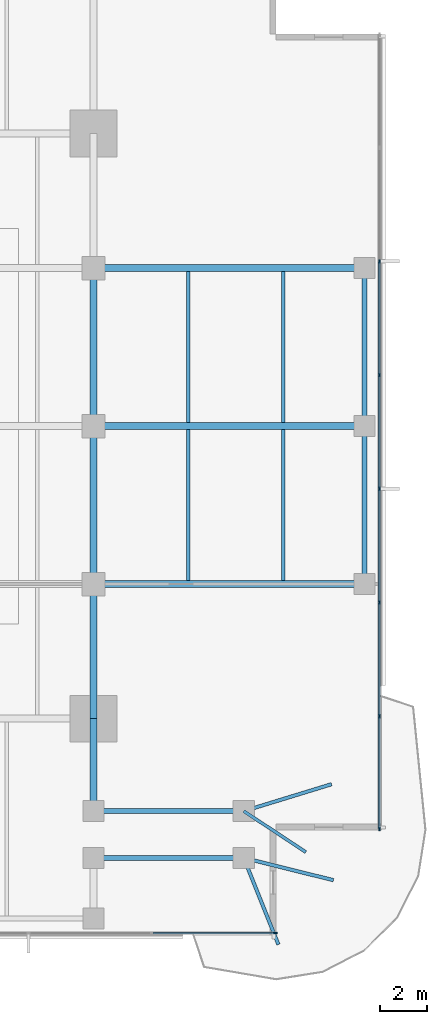
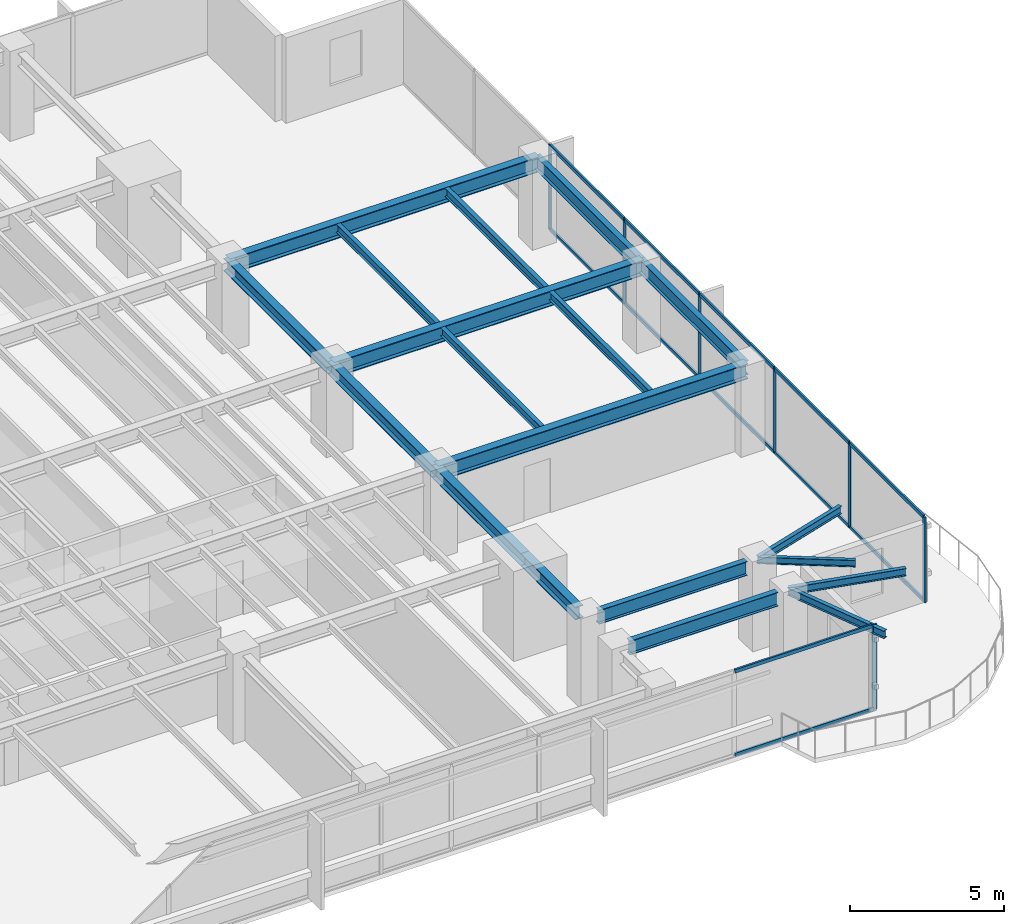
# One storey, part 4 of 14: 19 beams, 19 members, 2 elements without a shape of their own.
"""IFC4 building model written with IfcOpenShell, lengths in metres."""

from ifc_helpers import new_model, si_unit, direction, frame, origin, origin_2d, place, context, subcontext, project, spatial, rectangle, i_section, extrude, material, layer, layer_set, material_profile, profile_set, type_object, element, aggregate, save


model = new_model("IFC4")

# Units and contexts
model_context = context("Model", 3, precision=1e-05, world=origin(), true_north=direction((0.0, 1.0)))
body_context = subcontext(model_context, "Body", "Model", "MODEL_VIEW")
ifc_project = project(units=[si_unit("LENGTHUNIT", "METRE"), si_unit("AREAUNIT", "SQUARE_METRE"), si_unit("VOLUMEUNIT", "CUBIC_METRE"), si_unit("PLANEANGLEUNIT", "RADIAN"), si_unit("MASSUNIT", "GRAM", prefix="KILO")], contexts=[model_context])

# Site, building, storey
site_placement = place(None, origin())
site = spatial("IfcSite", under=ifc_project, at=site_placement, CompositionType="ELEMENT")
building_placement = place(site_placement, origin())
building = spatial("IfcBuilding", under=site, at=building_placement, Name="Kinhvarn Gate Tower", CompositionType="ELEMENT")
storey_placement = place(building_placement, frame((0.0, 0.0, 141.300048828125)))
storey = spatial("IfcBuildingStorey", under=building, at=storey_placement, Name="L37", CompositionType="ELEMENT", Elevation=141.300048828125)

# Curtain wall, member
ifc_material_1 = material(Name="Anodised aluminium AW-6063", Category="aluminium")
ifc_layer = layer(ifc_material_1, 0.179931640625)
ifc_layer_set = layer_set([ifc_layer], Name="Anodised aluminium AW-6063")
curtain_wall_type = type_object("IfcCurtainWallType", Name="CW-SYS-3", PredefinedType="NOTDEFINED", material=ifc_layer_set)
curtain_wall_1_placement = place(storey_placement, origin())
curtain_wall_1 = element("IfcCurtainWall", 1, at=curtain_wall_1_placement, inside=storey, type_object=curtain_wall_type, Name="Curtain Wall CW3 (L37)", PredefinedType="NOTDEFINED")
ifc_material_profile_1 = material_profile(ifc_material_1, rectangle(XDim=0.06494140625, YDim=0.159912109375, at=origin_2d()), Name="ALU 65x160")
ifc_profile_set_1 = profile_set([ifc_material_profile_1], Name="Anodised aluminium AW-6063")
member_type_1 = type_object("IfcMemberType", Name="CW-MUL-160", PredefinedType="MULLION", material=ifc_profile_set_1)
member_1_placement = place(storey_placement, frame((45.967529296875, 3.590087890625, 0.0), z_axis=(0.0, 0.0, 1.0), x_axis=(0.0, 1.0, 0.0)))
member_1 = element("IfcMember", 2, at=member_1_placement, type_object=member_type_1, Name="CW3 mullion 8", PredefinedType="MULLION", context=body_context, shape_type="SweptSolid", body=[
    extrude(rectangle(XDim=0.06494140625, YDim=0.159912109375, at=origin_2d()), origin(), (0.0, 0.0, 1.0), 3.369873046875),
])

# Curtain wall, members
curtain_wall_2_placement = place(storey_placement, origin())
curtain_wall_2 = element("IfcCurtainWall", 3, at=curtain_wall_2_placement, inside=storey, type_object=curtain_wall_type, Name="Curtain Wall CW3 (L37)", PredefinedType="NOTDEFINED")
member_2_placement = place(storey_placement, frame((50.409912109375, 8.032470703125, 0.0), z_axis=(0.0, 0.0, 1.0), x_axis=(-1.0, 0.0, 0.0)))
member_2 = element("IfcMember", 4, at=member_2_placement, type_object=member_type_1, Name="CW3 mullion 1", PredefinedType="MULLION", context=body_context, shape_type="SweptSolid", body=[
    extrude(rectangle(XDim=0.06494140625, YDim=0.159912109375, at=origin_2d()), origin(), (0.0, 0.0, 1.0), 3.369873046875),
])
member_3_placement = place(storey_placement, frame((50.409912109375, 12.857177734375, 0.0), z_axis=(0.0, 0.0, 1.0), x_axis=(-1.0, 0.0, 0.0)))
member_3 = element("IfcMember", 5, at=member_3_placement, type_object=member_type_1, Name="CW3 mullion 2", PredefinedType="MULLION", context=body_context, shape_type="SweptSolid", body=[
    extrude(rectangle(XDim=0.06494140625, YDim=0.159912109375, at=origin_2d()), origin(), (0.0, 0.0, 1.0), 3.369873046875),
])
member_4_placement = place(storey_placement, frame((50.409912109375, 17.71435546875, 0.0), z_axis=(0.0, 0.0, 1.0), x_axis=(-1.0, 0.0, 0.0)))
member_4 = element("IfcMember", 6, at=member_4_placement, type_object=member_type_1, Name="CW3 mullion 3", PredefinedType="MULLION", context=body_context, shape_type="SweptSolid", body=[
    extrude(rectangle(XDim=0.06494140625, YDim=0.159912109375, at=origin_2d()), origin(), (0.0, 0.0, 1.0), 3.369873046875),
])
member_5_placement = place(storey_placement, frame((50.409912109375, 22.571533203125, 0.0), z_axis=(0.0, 0.0, 1.0), x_axis=(-1.0, 0.0, 0.0)))
member_5 = element("IfcMember", 7, at=member_5_placement, type_object=member_type_1, Name="CW3 mullion 4", PredefinedType="MULLION", context=body_context, shape_type="SweptSolid", body=[
    extrude(rectangle(XDim=0.06494140625, YDim=0.159912109375, at=origin_2d()), origin(), (0.0, 0.0, 1.0), 3.369873046875),
])
member_6_placement = place(storey_placement, frame((50.409912109375, 27.428466796875, 0.0), z_axis=(0.0, 0.0, 1.0), x_axis=(-1.0, 0.0, 0.0)))
member_6 = element("IfcMember", 8, at=member_6_placement, type_object=member_type_1, Name="CW3 mullion 5", PredefinedType="MULLION", context=body_context, shape_type="SweptSolid", body=[
    extrude(rectangle(XDim=0.06494140625, YDim=0.159912109375, at=origin_2d()), origin(), (0.0, 0.0, 1.0), 3.369873046875),
])
member_7_placement = place(storey_placement, frame((50.409912109375, 32.28564453125, 0.0), z_axis=(0.0, 0.0, 1.0), x_axis=(-1.0, 0.0, 0.0)))
member_7 = element("IfcMember", 9, at=member_7_placement, type_object=member_type_1, Name="CW3 mullion 6", PredefinedType="MULLION", context=body_context, shape_type="SweptSolid", body=[
    extrude(rectangle(XDim=0.06494140625, YDim=0.159912109375, at=origin_2d()), origin(), (0.0, 0.0, 1.0), 3.369873046875),
])

# Member
ifc_material_profile_2 = material_profile(ifc_material_1, rectangle(XDim=0.070068359375, YDim=0.139892578125, at=origin_2d()), Name="ALU 70x140")
ifc_profile_set_2 = profile_set([ifc_material_profile_2], Name="Anodised aluminium AW-6063")
member_type_2 = type_object("IfcMemberType", Name="CW-TRN-140", PredefinedType="USERDEFINED", material=ifc_profile_set_2)
member_8_placement = place(storey_placement, frame((40.746826171875, 3.590087890625, 0.034912109375), z_axis=(1.0, 0.0, 0.0), x_axis=(0.0, 1.0, 0.0)))
member_8 = element("IfcMember", 10, at=member_8_placement, type_object=member_type_2, Name="CW3 transom 7.1", ObjectType="TRANSOM", PredefinedType="USERDEFINED", context=body_context, shape_type="SweptSolid", body=[
    extrude(rectangle(XDim=0.070068359375, YDim=0.139892578125, at=origin_2d()), origin(), (0.0, 0.0, 1.0), 5.188232421875),
])

member_9_placement = place(storey_placement, frame((40.746826171875, 3.590087890625, 3.3349609375), z_axis=(1.0, 0.0, 0.0), x_axis=(0.0, 1.0, 0.0)))
member_9 = element("IfcMember", 11, at=member_9_placement, type_object=member_type_2, Name="CW3 transom 7.2", ObjectType="TRANSOM", PredefinedType="USERDEFINED", context=body_context, shape_type="SweptSolid", body=[
    extrude(rectangle(XDim=0.070068359375, YDim=0.139892578125, at=origin_2d()), origin(), (0.0, 0.0, 1.0), 5.188232421875),
])

aggregate(curtain_wall_1, [member_1, member_8, member_9])

member_10_placement = place(storey_placement, frame((50.409912109375, 8.06494140625, 0.034912109375), z_axis=(0.0, 1.0, 0.0), x_axis=(-1.0, 0.0, 0.0)))
member_10 = element("IfcMember", 12, at=member_10_placement, type_object=member_type_2, Name="CW3 transom 1.1", ObjectType="TRANSOM", PredefinedType="USERDEFINED", context=body_context, shape_type="SweptSolid", body=[
    extrude(rectangle(XDim=0.070068359375, YDim=0.139892578125, at=origin_2d()), origin(), (0.0, 0.0, 1.0), 4.759765625),
])

member_11_placement = place(storey_placement, frame((50.409912109375, 8.06494140625, 3.3349609375), z_axis=(0.0, 1.0, 0.0), x_axis=(-1.0, 0.0, 0.0)))
member_11 = element("IfcMember", 13, at=member_11_placement, type_object=member_type_2, Name="CW3 transom 1.2", ObjectType="TRANSOM", PredefinedType="USERDEFINED", context=body_context, shape_type="SweptSolid", body=[
    extrude(rectangle(XDim=0.070068359375, YDim=0.139892578125, at=origin_2d()), origin(), (0.0, 0.0, 1.0), 4.759765625),
])

member_12_placement = place(storey_placement, frame((50.409912109375, 12.8896484375, 0.034912109375), z_axis=(0.0, 1.0, 0.0), x_axis=(-1.0, 0.0, 0.0)))
member_12 = element("IfcMember", 14, at=member_12_placement, type_object=member_type_2, Name="CW3 transom 2.1", ObjectType="TRANSOM", PredefinedType="USERDEFINED", context=body_context, shape_type="SweptSolid", body=[
    extrude(rectangle(XDim=0.070068359375, YDim=0.139892578125, at=origin_2d()), origin(), (0.0, 0.0, 1.0), 4.792236328125),
])

member_13_placement = place(storey_placement, frame((50.409912109375, 12.8896484375, 3.3349609375), z_axis=(0.0, 1.0, 0.0), x_axis=(-1.0, 0.0, 0.0)))
member_13 = element("IfcMember", 15, at=member_13_placement, type_object=member_type_2, Name="CW3 transom 2.2", ObjectType="TRANSOM", PredefinedType="USERDEFINED", context=body_context, shape_type="SweptSolid", body=[
    extrude(rectangle(XDim=0.070068359375, YDim=0.139892578125, at=origin_2d()), origin(), (0.0, 0.0, 1.0), 4.792236328125),
])

member_14_placement = place(storey_placement, frame((50.409912109375, 17.746826171875, 0.034912109375), z_axis=(0.0, 1.0, 0.0), x_axis=(-1.0, 0.0, 0.0)))
member_14 = element("IfcMember", 16, at=member_14_placement, type_object=member_type_2, Name="CW3 transom 3.1", ObjectType="TRANSOM", PredefinedType="USERDEFINED", context=body_context, shape_type="SweptSolid", body=[
    extrude(rectangle(XDim=0.070068359375, YDim=0.139892578125, at=origin_2d()), origin(), (0.0, 0.0, 1.0), 4.7919921875),
])

member_15_placement = place(storey_placement, frame((50.409912109375, 17.746826171875, 3.3349609375), z_axis=(0.0, 1.0, 0.0), x_axis=(-1.0, 0.0, 0.0)))
member_15 = element("IfcMember", 17, at=member_15_placement, type_object=member_type_2, Name="CW3 transom 3.2", ObjectType="TRANSOM", PredefinedType="USERDEFINED", context=body_context, shape_type="SweptSolid", body=[
    extrude(rectangle(XDim=0.070068359375, YDim=0.139892578125, at=origin_2d()), origin(), (0.0, 0.0, 1.0), 4.7919921875),
])

member_16_placement = place(storey_placement, frame((50.409912109375, 22.60400390625, 0.034912109375), z_axis=(0.0, 1.0, 0.0), x_axis=(-1.0, 0.0, 0.0)))
member_16 = element("IfcMember", 18, at=member_16_placement, type_object=member_type_2, Name="CW3 transom 4.1", ObjectType="TRANSOM", PredefinedType="USERDEFINED", context=body_context, shape_type="SweptSolid", body=[
    extrude(rectangle(XDim=0.070068359375, YDim=0.139892578125, at=origin_2d()), origin(), (0.0, 0.0, 1.0), 4.7919921875),
])

member_17_placement = place(storey_placement, frame((50.409912109375, 22.60400390625, 3.3349609375), z_axis=(0.0, 1.0, 0.0), x_axis=(-1.0, 0.0, 0.0)))
member_17 = element("IfcMember", 19, at=member_17_placement, type_object=member_type_2, Name="CW3 transom 4.2", ObjectType="TRANSOM", PredefinedType="USERDEFINED", context=body_context, shape_type="SweptSolid", body=[
    extrude(rectangle(XDim=0.070068359375, YDim=0.139892578125, at=origin_2d()), origin(), (0.0, 0.0, 1.0), 4.7919921875),
])

member_18_placement = place(storey_placement, frame((50.409912109375, 27.461181640625, 0.034912109375), z_axis=(0.0, 1.0, 0.0), x_axis=(-1.0, 0.0, 0.0)))
member_18 = element("IfcMember", 20, at=member_18_placement, type_object=member_type_2, Name="CW3 transom 5.1", ObjectType="TRANSOM", PredefinedType="USERDEFINED", context=body_context, shape_type="SweptSolid", body=[
    extrude(rectangle(XDim=0.070068359375, YDim=0.139892578125, at=origin_2d()), origin(), (0.0, 0.0, 1.0), 4.7919921875),
])

member_19_placement = place(storey_placement, frame((50.409912109375, 27.461181640625, 3.3349609375), z_axis=(0.0, 1.0, 0.0), x_axis=(-1.0, 0.0, 0.0)))
member_19 = element("IfcMember", 21, at=member_19_placement, type_object=member_type_2, Name="CW3 transom 5.2", ObjectType="TRANSOM", PredefinedType="USERDEFINED", context=body_context, shape_type="SweptSolid", body=[
    extrude(rectangle(XDim=0.070068359375, YDim=0.139892578125, at=origin_2d()), origin(), (0.0, 0.0, 1.0), 4.7919921875),
])

aggregate(curtain_wall_2, [member_2, member_3, member_4, member_5, member_6, member_7, member_10, member_11, member_12, member_13, member_14, member_15, member_16, member_17, member_18, member_19])

# Beams
ifc_material_2 = material(Name="Steel S355", Category="steel")
ifc_material_profile_3 = material_profile(ifc_material_2, i_section(OverallWidth=0.300048828125, OverallDepth=0.5, WebThickness=0.014404296875, FlangeThickness=0.028076171875, at=origin_2d()), Name="HEB 500")
ifc_profile_set_3 = profile_set([ifc_material_profile_3], Name="Steel S355")
beam_type_1 = type_object("IfcBeamType", Name="STL-HEB500", PredefinedType="BEAM", material=ifc_profile_set_3)
beam_1_placement = place(storey_placement, frame((38.199951171875, 9.235107421875, 3.119873046875), z_axis=(0.0, 1.0, 0.0), x_axis=(-1.0, 0.0, 0.0)))
element("IfcBeam", 22, at=beam_1_placement, inside=storey, type_object=beam_type_1, Name="Floor Beam PG-14 (L37 MCE-S-A2)", PredefinedType="BEAM", context=body_context, shape_type="SweptSolid", body=[
    extrude(i_section(OverallWidth=0.300048828125, OverallDepth=0.5, WebThickness=0.014404296875, FlangeThickness=0.028076171875, at=origin_2d()), origin(), (0.0, 0.0, 1.0), 3.514892578125),
])
beam_2_placement = place(storey_placement, frame((38.199951171875, 12.75, 3.119873046875), z_axis=(0.0, 1.0, 0.0), x_axis=(-1.0, 0.0, 0.0)))
element("IfcBeam", 23, at=beam_2_placement, inside=storey, type_object=beam_type_1, Name="Floor Beam PG-14 (L37 MG-E-12)", PredefinedType="BEAM", context=body_context, shape_type="SweptSolid", body=[
    extrude(i_section(OverallWidth=0.300048828125, OverallDepth=0.5, WebThickness=0.014404296875, FlangeThickness=0.028076171875, at=origin_2d()), origin(), (0.0, 0.0, 1.0), 5.75),
])
for number, where, z_axis, x_axis, name in (
    (24, (38.199951171875, 18.5, 3.119873046875), (0.0, 1.0, 0.0), (-1.0, 0.0, 0.0), "Floor Beam PG-14 (L37 MG-E-18)"),
    (25, (38.199951171875, 25.25, 3.119873046875), (0.0, 1.0, 0.0), (-1.0, 0.0, 0.0), "Floor Beam PG-14 (L37 MG-E-25)"),
):
    element("IfcBeam", number, at=place(storey_placement, frame(where, z_axis=z_axis, x_axis=x_axis)), inside=storey, type_object=beam_type_1, Name=name, PredefinedType="BEAM", context=body_context, shape_type="SweptSolid", body=[
        extrude(i_section(OverallWidth=0.300048828125, OverallDepth=0.5, WebThickness=0.014404296875, FlangeThickness=0.028076171875, at=origin_2d()), origin(), (0.0, 0.0, 1.0), 6.75),
    ])
ifc_material_profile_4 = material_profile(ifc_material_2, i_section(OverallWidth=0.300048828125, OverallDepth=0.60009765625, WebThickness=0.015380859375, FlangeThickness=0.030029296875, at=origin_2d()), Name="HEB 600")
ifc_profile_set_4 = profile_set([ifc_material_profile_4], Name="Steel S355")
beam_type_2 = type_object("IfcBeamType", Name="STL-HEB600", PredefinedType="BEAM", material=ifc_profile_set_4)
for number, where, z_axis, x_axis, name in (
    (26, (38.199951171875, 18.5, 3.070068359375), (1.0, 0.0, 0.0), (0.0, 1.0, 0.0), "Floor Beam PG-16 (L37 EW2-Y18)"),
    (27, (38.199951171875, 25.25, 3.070068359375), (1.0, 0.0, 0.0), (0.0, 1.0, 0.0), "Floor Beam PG-16 (L37 EW2-Y25)"),
    (28, (38.199951171875, 32.0, 3.070068359375), (1.0, 0.0, 0.0), (0.0, 1.0, 0.0), "Floor Beam PG-16 (L37 EW2-Y32)"),
):
    element("IfcBeam", number, at=place(storey_placement, frame(where, z_axis=z_axis, x_axis=x_axis)), inside=storey, type_object=beam_type_2, Name=name, PredefinedType="BEAM", context=body_context, shape_type="SweptSolid", body=[
        extrude(i_section(OverallWidth=0.300048828125, OverallDepth=0.60009765625, WebThickness=0.015380859375, FlangeThickness=0.030029296875, at=origin_2d()), origin(), (0.0, 0.0, 1.0), 11.580078125),
    ])
ifc_material_profile_5 = material_profile(ifc_material_2, i_section(OverallWidth=0.135009765625, OverallDepth=0.27001953125, WebThickness=0.006591796875, FlangeThickness=0.01025390625, at=origin_2d()), Name="IPE 270")
ifc_profile_set_5 = profile_set([ifc_material_profile_5], Name="Steel S355")
beam_type_3 = type_object("IfcBeamType", Name="STL-IPE270", PredefinedType="JOIST", material=ifc_profile_set_5)
beam_3_placement = place(storey_placement, frame((44.6201171875, 8.800048828125, 3.23486328125), z_axis=(0.834455271211, -0.5510756757, 0.0), x_axis=(0.5510756757, 0.834455271211, 0.0)))
element("IfcBeam", 29, at=beam_3_placement, inside=storey, type_object=beam_type_3, Name="Floor Joist SB-01 (L37 BAL-B3-L38)", PredefinedType="JOIST", context=body_context, shape_type="SweptSolid", body=[
    extrude(i_section(OverallWidth=0.135009765625, OverallDepth=0.27001953125, WebThickness=0.006591796875, FlangeThickness=0.01025390625, at=origin_2d()), origin(), (0.0, 0.0, 1.0), 3.175537109375),
])
ifc_material_profile_6 = material_profile(ifc_material_2, i_section(OverallWidth=0.14990234375, OverallDepth=0.300048828125, WebThickness=0.007080078125, FlangeThickness=0.0107421875, at=origin_2d()), Name="IPE 300")
ifc_profile_set_6 = profile_set([ifc_material_profile_6], Name="Steel S355")
beam_type_4 = type_object("IfcBeamType", Name="STL-IPE300", PredefinedType="JOIST", material=ifc_profile_set_6)
beam_4_placement = place(storey_placement, frame((44.6201171875, 6.800048828125, 3.219970703125), z_axis=(0.97058851083, -0.240744558911, 0.0), x_axis=(0.240744558911, 0.97058851083, 0.0)))
element("IfcBeam", 30, at=beam_4_placement, inside=storey, type_object=beam_type_4, Name="Floor Joist SB-02 (L37 BAL-B1-L38)", PredefinedType="JOIST", context=body_context, shape_type="SweptSolid", body=[
    extrude(i_section(OverallWidth=0.14990234375, OverallDepth=0.300048828125, WebThickness=0.007080078125, FlangeThickness=0.0107421875, at=origin_2d()), origin(), (0.0, 0.0, 1.0), 3.94580078125),
])
beam_5_placement = place(storey_placement, frame((44.6201171875, 6.800048828125, 3.219970703125), z_axis=(0.371390676354, -0.928476690885, 0.0), x_axis=(0.928476690885, 0.371390676354, 0.0)))
element("IfcBeam", 31, at=beam_5_placement, inside=storey, type_object=beam_type_4, Name="Floor Joist SB-02 (L37 BAL-B2-L38)", PredefinedType="JOIST", context=body_context, shape_type="SweptSolid", body=[
    extrude(i_section(OverallWidth=0.14990234375, OverallDepth=0.300048828125, WebThickness=0.007080078125, FlangeThickness=0.0107421875, at=origin_2d()), origin(), (0.0, 0.0, 1.0), 3.98486328125),
])
beam_6_placement = place(storey_placement, frame((44.6201171875, 8.800048828125, 3.219970703125), z_axis=(0.95606118681, 0.293167199862, 0.0), x_axis=(-0.293167199862, 0.95606118681, 0.0)))
element("IfcBeam", 32, at=beam_6_placement, inside=storey, type_object=beam_type_4, Name="Floor Joist SB-02 (L37 BAL-B5-L38)", PredefinedType="JOIST", context=body_context, shape_type="SweptSolid", body=[
    extrude(i_section(OverallWidth=0.14990234375, OverallDepth=0.300048828125, WebThickness=0.007080078125, FlangeThickness=0.0107421875, at=origin_2d()), origin(), (0.0, 0.0, 1.0), 3.92236328125),
])
ifc_material_profile_7 = material_profile(ifc_material_2, i_section(OverallWidth=0.159912109375, OverallDepth=0.330078125, WebThickness=0.007568359375, FlangeThickness=0.011474609375, at=origin_2d()), Name="IPE 330")
ifc_profile_set_7 = profile_set([ifc_material_profile_7], Name="Steel S355")
beam_type_5 = type_object("IfcBeamType", Name="STL-IPE330", PredefinedType="JOIST", material=ifc_profile_set_7)
for number, where, z_axis, x_axis, name in (
    (33, (42.25, 18.64990234375, 3.204833984375), (0.0, 1.0, 0.0), (-1.0, 0.0, 0.0), "Floor Joist SB-03 (L37 JC-X422-1)"),
    (34, (42.25, 25.39990234375, 3.204833984375), (0.0, 1.0, 0.0), (-1.0, 0.0, 0.0), "Floor Joist SB-03 (L37 JC-X422-2)"),
    (35, (46.31005859375, 18.64990234375, 3.204833984375), (0.0, 1.0, 0.0), (-1.0, 0.0, 0.0), "Floor Joist SB-03 (L37 JC-X463-1)"),
    (36, (46.31005859375, 25.39990234375, 3.204833984375), (0.0, 1.0, 0.0), (-1.0, 0.0, 0.0), "Floor Joist SB-03 (L37 JC-X463-2)"),
):
    element("IfcBeam", number, at=place(storey_placement, frame(where, z_axis=z_axis, x_axis=x_axis)), inside=storey, type_object=beam_type_5, Name=name, PredefinedType="JOIST", context=body_context, shape_type="SweptSolid", body=[
        extrude(i_section(OverallWidth=0.159912109375, OverallDepth=0.330078125, WebThickness=0.007568359375, FlangeThickness=0.011474609375, at=origin_2d()), origin(), (0.0, 0.0, 1.0), 6.4501953125),
    ])
ifc_material_profile_8 = material_profile(ifc_material_2, i_section(OverallWidth=0.2099609375, OverallDepth=0.550048828125, WebThickness=0.010986328125, FlangeThickness=0.01708984375, at=origin_2d()), Name="IPE 550")
ifc_profile_set_8 = profile_set([ifc_material_profile_8], Name="Steel S355")
beam_type_6 = type_object("IfcBeamType", Name="STL-IPE550", PredefinedType="SPANDREL", material=ifc_profile_set_8)
for number, where, z_axis, x_axis, name in (
    (37, (38.635009765625, 8.800048828125, 3.094970703125), (1.0, 0.0, 0.0), (0.0, 1.0, 0.0), "Floor Spandrel SB-08 (L37 SP-SE2)"),
    (38, (38.635009765625, 6.800048828125, 3.094970703125), (1.0, 0.0, 0.0), (0.0, 1.0, 0.0), "Floor Spandrel SB-08 (L37 SP-SE2-S)"),
):
    element("IfcBeam", number, at=place(storey_placement, frame(where, z_axis=z_axis, x_axis=x_axis)), inside=storey, type_object=beam_type_6, Name=name, PredefinedType="SPANDREL", context=body_context, shape_type="SweptSolid", body=[
        extrude(i_section(OverallWidth=0.2099609375, OverallDepth=0.550048828125, WebThickness=0.010986328125, FlangeThickness=0.01708984375, at=origin_2d()), origin(), (0.0, 0.0, 1.0), 5.550048828125),
    ])
for number, where, z_axis, x_axis, name in (
    (39, (49.780029296875, 18.5, 3.094970703125), (0.0, 1.0, 0.0), (-1.0, 0.0, 0.0), "Floor Spandrel SB-08 (L37 SP-E2)"),
    (40, (49.780029296875, 25.25, 3.094970703125), (0.0, 1.0, 0.0), (-1.0, 0.0, 0.0), "Floor Spandrel SB-08 (L37 SP-E3)"),
):
    element("IfcBeam", number, at=place(storey_placement, frame(where, z_axis=z_axis, x_axis=x_axis)), inside=storey, type_object=beam_type_6, Name=name, PredefinedType="SPANDREL", context=body_context, shape_type="SweptSolid", body=[
        extrude(i_section(OverallWidth=0.2099609375, OverallDepth=0.550048828125, WebThickness=0.010986328125, FlangeThickness=0.01708984375, at=origin_2d()), origin(), (0.0, 0.0, 1.0), 6.75),
    ])

save(model, "model.ifc")
